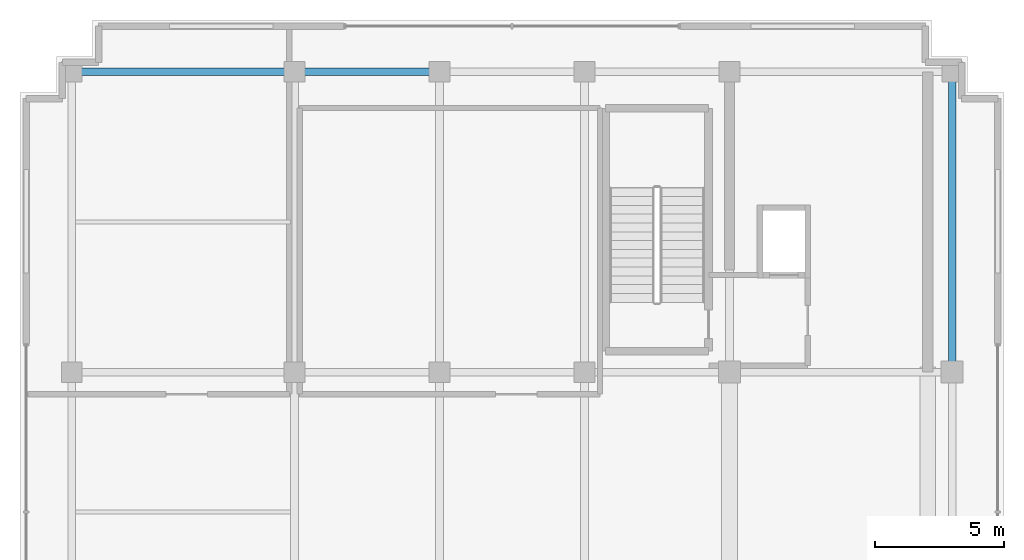
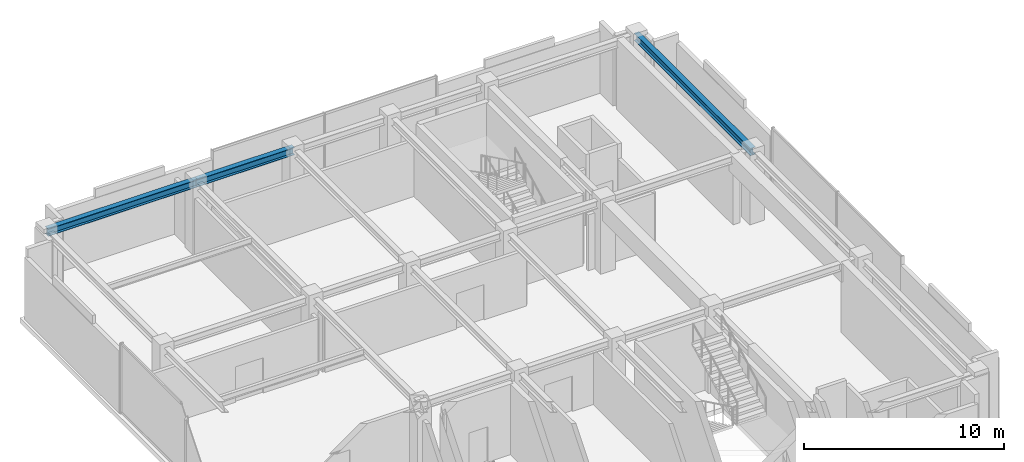
# One storey, part 11 of 18: 3 beams.
"""IFC4 building model written with IfcOpenShell, lengths in metres."""

from ifc_helpers import new_model, si_unit, direction, frame, origin, origin_2d, place, context, subcontext, project, spatial, i_section, extrude, source, transform, mapped, material, material_profile, profile_set, type_object, element, save


model = new_model("IFC4")

# Units and contexts
model_context = context("Model", 3, precision=1e-05, world=origin(), true_north=direction((0.0, 1.0)))
body_context = subcontext(model_context, "Body", "Model", "MODEL_VIEW")
ifc_project = project(units=[si_unit("LENGTHUNIT", "METRE"), si_unit("AREAUNIT", "SQUARE_METRE"), si_unit("VOLUMEUNIT", "CUBIC_METRE"), si_unit("PLANEANGLEUNIT", "RADIAN"), si_unit("MASSUNIT", "GRAM", prefix="KILO")], contexts=[model_context])

# Site, building, storey
site_placement = place(None, origin())
site = spatial("IfcSite", under=ifc_project, at=site_placement, CompositionType="ELEMENT")
building_placement = place(site_placement, origin())
building = spatial("IfcBuilding", under=site, at=building_placement, Name="Nahalor Promenade Grand Hotel", CompositionType="ELEMENT")
storey_placement = place(building_placement, frame((0.0, 0.0, 366.25)))
storey = spatial("IfcBuildingStorey", under=building, at=storey_placement, Name="L93", CompositionType="ELEMENT", Elevation=366.25)

# Beams
ifc_material = material(Name="Steel S355JR", Category="steel")
ifc_material_profile = material_profile(ifc_material, i_section(OverallWidth=0.3, OverallDepth=0.45, WebThickness=0.014, FlangeThickness=0.026, at=origin_2d()), Name="HEB 450")
ifc_profile_set = profile_set([ifc_material_profile], Name="Steel S355JR")
beam_type = type_object("IfcBeamType", Name="Beam-Girder-HEB450", PredefinedType="BEAM", material=ifc_profile_set)
shared_shape_1 = source(origin(), body_context, "Body", "SweptSolid", [
    extrude(i_section(OverallWidth=0.3, OverallDepth=0.45, WebThickness=0.014, FlangeThickness=0.026, at=origin_2d()), origin(), (0.0, 0.0, 1.0), 8.60009765625),
])
beam_1_placement = place(storey_placement, frame((-17.0, 17.0, 4.074951171875), z_axis=(1.0, 0.0, 0.0), x_axis=(0.0, 1.0, 0.0)))
element("IfcBeam", 1, at=beam_1_placement, inside=storey, type_object=beam_type, Name="BM-L93-GX-3-0", PredefinedType="BEAM", context=body_context, shape_type="MappedRepresentation", body=[
    mapped(shared_shape_1, transform((0.0, 0.0, 0.0), scale=1.0)),
])
shared_shape_2 = source(origin(), body_context, "Body", "SweptSolid", [
    extrude(i_section(OverallWidth=0.3, OverallDepth=0.45, WebThickness=0.014, FlangeThickness=0.026, at=origin_2d()), origin(), (0.0, 0.0, 1.0), 5.599853515625),
])
beam_2_placement = place(storey_placement, frame((-8.39990234375, 17.0, 4.074951171875), z_axis=(1.0, 0.0, 0.0), x_axis=(0.0, 1.0, 0.0)))
element("IfcBeam", 2, at=beam_2_placement, inside=storey, type_object=beam_type, Name="BM-L93-GX-3-1", PredefinedType="BEAM", context=body_context, shape_type="MappedRepresentation", body=[
    mapped(shared_shape_2, transform((0.0, 0.0, 0.0), scale=1.0)),
])
shared_shape_3 = source(origin(), body_context, "Body", "SweptSolid", [
    extrude(i_section(OverallWidth=0.3, OverallDepth=0.45, WebThickness=0.014, FlangeThickness=0.026, at=origin_2d()), origin(), (0.0, 0.0, 1.0), 11.60009765625),
])
beam_3_placement = place(storey_placement, frame((17.0, 5.39990234375, 4.074951171875), z_axis=(0.0, 1.0, 0.0), x_axis=(-1.0, 0.0, 0.0)))
element("IfcBeam", 3, at=beam_3_placement, inside=storey, type_object=beam_type, Name="BM-L93-GY-5-2", PredefinedType="BEAM", context=body_context, shape_type="MappedRepresentation", body=[
    mapped(shared_shape_3, transform((0.0, 0.0, 0.0), scale=1.0)),
])

save(model, "model.ifc")
